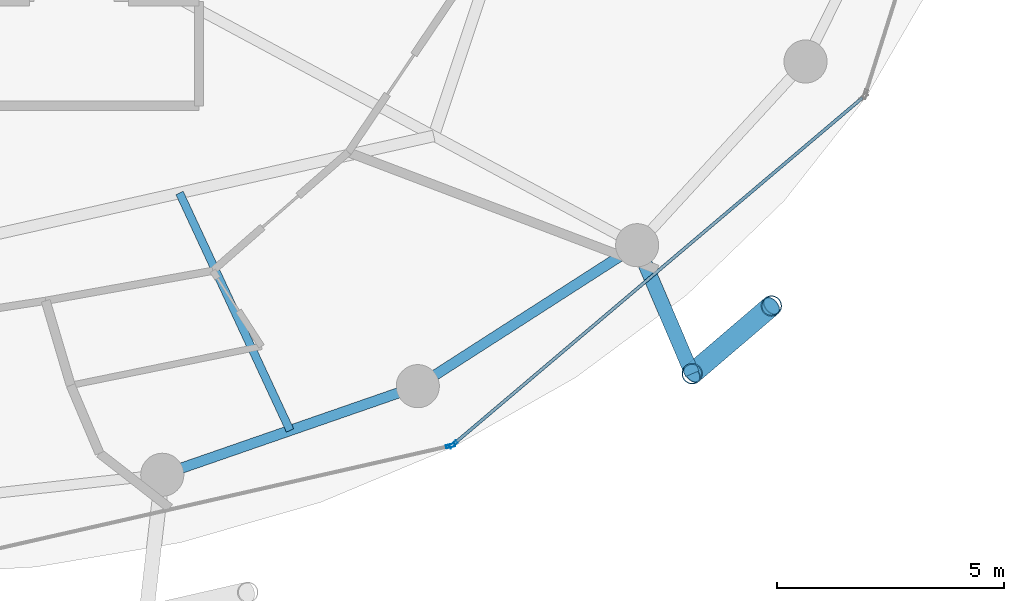
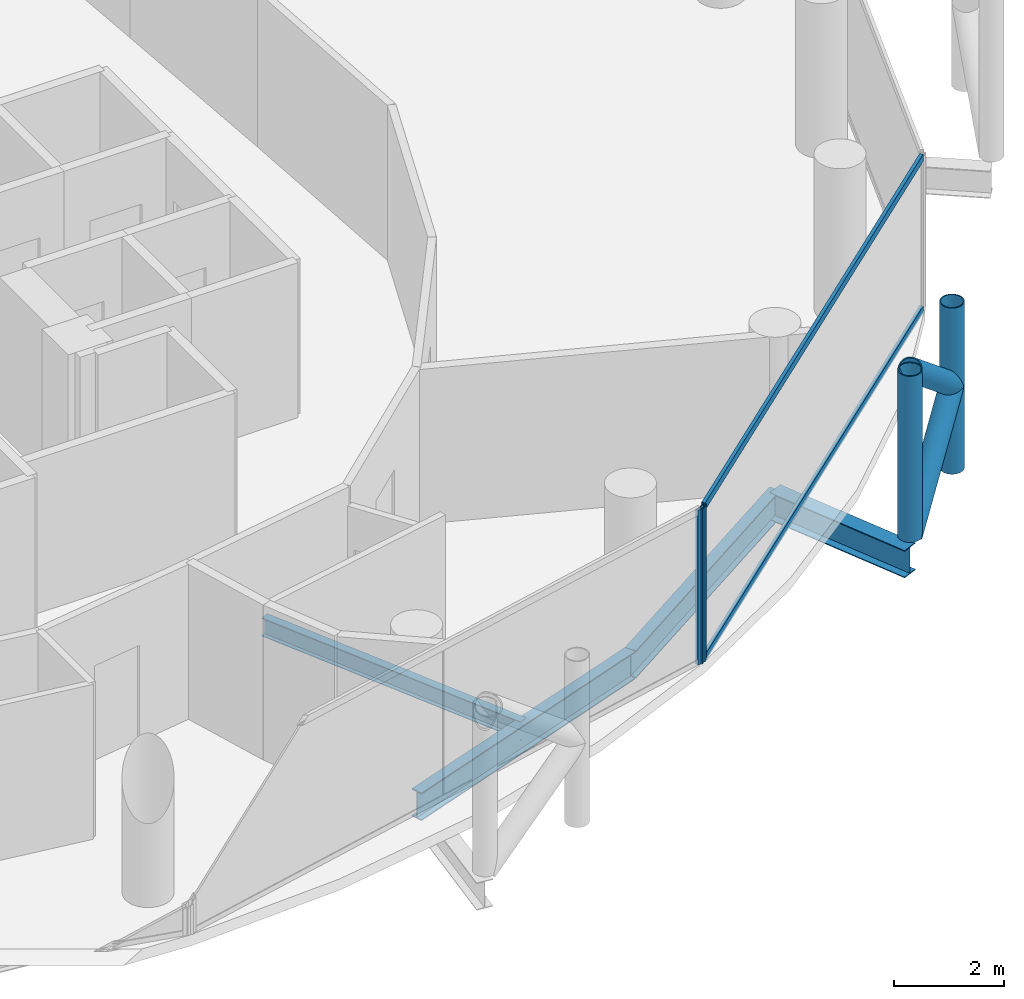
# One storey, part 8 of 26: 8 members, 4 beams, 2 elements without a shape of their own.
"""IFC4 building model written with IfcOpenShell, lengths in metres."""

from ifc_helpers import new_model, si_unit, direction, frame, origin, origin_2d, place, context, subcontext, project, spatial, hollow_rectangle, hollow_circle, i_section, extrude, material, layer, layer_set, material_profile, profile_set, type_object, element, aggregate, save


model = new_model("IFC4")

# Units and contexts
model_context = context("Model", 3, precision=1e-05, world=origin(), true_north=direction((0.0, 1.0)))
body_context = subcontext(model_context, "Body", "Model", "MODEL_VIEW")
ifc_project = project(units=[si_unit("LENGTHUNIT", "METRE"), si_unit("AREAUNIT", "SQUARE_METRE"), si_unit("VOLUMEUNIT", "CUBIC_METRE"), si_unit("PLANEANGLEUNIT", "RADIAN"), si_unit("MASSUNIT", "GRAM", prefix="KILO")], contexts=[model_context])

# Site, building, storey
site_placement = place(None, origin())
site = spatial("IfcSite", under=ifc_project, at=site_placement, CompositionType="ELEMENT")
building_placement = place(site_placement, origin())
building = spatial("IfcBuilding", under=site, at=building_placement, Name="Nuhasar Tower", CompositionType="ELEMENT")
storey_placement = place(building_placement, frame((0.0, 0.0, 147.85009765625)))
storey = spatial("IfcBuildingStorey", under=building, at=storey_placement, Name="L35", CompositionType="ELEMENT", Elevation=147.85009765625)

# Beams
ifc_material_1 = material(Name="Steel S355", Category="steel")
ifc_material_profile_1 = material_profile(ifc_material_1, i_section(OverallWidth=0.177978515625, OverallDepth=0.406005859375, WebThickness=0.0078125, FlangeThickness=0.0126953125, at=origin_2d()), Name="W16X40")
ifc_profile_set_1 = profile_set([ifc_material_profile_1], Name="Steel S355")
beam_type_1 = type_object("IfcBeamType", Name="BM-JST-W16X40", PredefinedType="JOIST", material=ifc_profile_set_1)
beam_1_placement = place(storey_placement, frame((45.424072265625, 14.1279296875, -0.453125), z_axis=(0.421729941201, -0.906721487941, 0.0), x_axis=(0.906721487941, 0.421729941201, 0.0)))
element("IfcBeam", 1, at=beam_1_placement, inside=storey, type_object=beam_type_1, Name="L35 Secondary Floor Joist 02", PredefinedType="JOIST", context=body_context, shape_type="SweptSolid", body=[
    extrude(i_section(OverallWidth=0.177978515625, OverallDepth=0.406005859375, WebThickness=0.0078125, FlangeThickness=0.0126953125, at=origin_2d()), origin(), (0.0, 0.0, 1.0), 5.7734375),
])
ifc_material_profile_2 = material_profile(ifc_material_1, i_section(OverallWidth=0.22998046875, OverallDepth=0.616943359375, WebThickness=0.01318359375, FlangeThickness=0.022216796875, at=origin_2d()), Name="W24X94")
ifc_profile_set_2 = profile_set([ifc_material_profile_2], Name="Steel S355")
beam_type_2 = type_object("IfcBeamType", Name="BM-RING-W24X94", PredefinedType="SPANDREL", material=ifc_profile_set_2)
beam_2_placement = place(storey_placement, frame((45.04296875, 7.916015625, -0.55908203125), z_axis=(0.944814057608, 0.327607076458, 0.0), x_axis=(-0.327607076458, 0.944814057608, 0.0)))
element("IfcBeam", 2, at=beam_2_placement, inside=storey, type_object=beam_type_2, Name="L35 Perimeter Ring Spandrel 20", PredefinedType="SPANDREL", context=body_context, shape_type="SweptSolid", body=[
    extrude(i_section(OverallWidth=0.22998046875, OverallDepth=0.616943359375, WebThickness=0.01318359375, FlangeThickness=0.022216796875, at=origin_2d()), origin(), (0.0, 0.0, 1.0), 5.9609375),
])
beam_3_placement = place(storey_placement, frame((50.675048828125, 9.868896484375, -0.55908203125), z_axis=(0.841308170616, 0.540555789955, 0.0), x_axis=(-0.540555789955, 0.841308170616, 0.0)))
element("IfcBeam", 3, at=beam_3_placement, inside=storey, type_object=beam_type_2, Name="L35 Perimeter Ring Spandrel 21", PredefinedType="SPANDREL", context=body_context, shape_type="SweptSolid", body=[
    extrude(i_section(OverallWidth=0.22998046875, OverallDepth=0.616943359375, WebThickness=0.01318359375, FlangeThickness=0.022216796875, at=origin_2d()), origin(), (0.0, 0.0, 1.0), 5.748046875),
])
ifc_material_profile_3 = material_profile(ifc_material_1, i_section(OverallWidth=0.323974609375, OverallDepth=0.611083984375, WebThickness=0.0126953125, FlangeThickness=0.01904296875, at=origin_2d()), Name="W24X104")
ifc_profile_set_3 = profile_set([ifc_material_profile_3], Name="Steel S355")
beam_type_3 = type_object("IfcBeamType", Name="BM-TIE-W24X104", PredefinedType="BEAM", material=ifc_profile_set_3)
beam_4_placement = place(storey_placement, frame((55.510986328125, 12.97607421875, -0.55615234375), z_axis=(0.39330721304, -0.919407111225, 0.0), x_axis=(0.919407111225, 0.39330721304, 0.0)))
element("IfcBeam", 4, at=beam_4_placement, inside=storey, type_object=beam_type_3, Name="L35 Exoskeleton Node Tie Beam 11", PredefinedType="BEAM", context=body_context, shape_type="SweptSolid", body=[
    extrude(i_section(OverallWidth=0.323974609375, OverallDepth=0.611083984375, WebThickness=0.0126953125, FlangeThickness=0.01904296875, at=origin_2d()), origin(), (0.0, 0.0, 1.0), 3.081298828125),
])

# Curtain wall, member
ifc_material_2 = material(Name="Aluminium 6063-T6", Category="aluminium")
ifc_layer = layer(ifc_material_2, 0.199951171875)
ifc_layer_set = layer_set([ifc_layer], Name="Aluminium 6063-T6")
curtain_wall_type = type_object("IfcCurtainWallType", Name="CW-Z2-HTL", PredefinedType="NOTDEFINED", material=ifc_layer_set)
curtain_wall_1_placement = place(storey_placement, origin())
curtain_wall_1 = element("IfcCurtainWall", 5, at=curtain_wall_1_placement, inside=storey, type_object=curtain_wall_type, Name="L35 Unitised Curtain Wall 10", PredefinedType="NOTDEFINED")
ifc_material_profile_4 = material_profile(ifc_material_2, hollow_rectangle(XDim=0.070068359375, YDim=0.199951171875, WallThickness=0.0048828125, at=origin_2d()), Name="CWM-3")
ifc_profile_set_4 = profile_set([ifc_material_profile_4], Name="Aluminium 6063-T6")
member_type_1 = type_object("IfcMemberType", Name="CW-MUL-S3", PredefinedType="MULLION", material=ifc_profile_set_4)
member_1_placement = place(storey_placement, frame((51.395751953125, 8.55419921875, 0.0), z_axis=(0.0, 0.0, 1.0), x_axis=(-0.22139729566, 0.975183694221, 0.0)))
member_1 = element("IfcMember", 6, at=member_1_placement, type_object=member_type_1, Name="CW-Z2 mullion 2", PredefinedType="MULLION", context=body_context, shape_type="SweptSolid", body=[
    extrude(hollow_rectangle(XDim=0.070068359375, YDim=0.199951171875, WallThickness=0.0048828125, at=origin_2d()), origin(), (0.0, 0.0, 1.0), 3.449951171875),
])
aggregate(curtain_wall_1, [member_1])

# Curtain wall, members
curtain_wall_2_placement = place(storey_placement, origin())
curtain_wall_2 = element("IfcCurtainWall", 7, at=curtain_wall_2_placement, inside=storey, type_object=curtain_wall_type, Name="L35 Unitised Curtain Wall 11", PredefinedType="NOTDEFINED")
member_2_placement = place(storey_placement, frame((51.456787109375, 8.584716796875, 0.0), z_axis=(0.0, 0.0, 1.0), x_axis=(-0.646374438324, 0.763020370292, 0.0)))
member_2 = element("IfcMember", 8, at=member_2_placement, type_object=member_type_1, Name="CW-Z2 mullion 1", PredefinedType="MULLION", context=body_context, shape_type="SweptSolid", body=[
    extrude(hollow_rectangle(XDim=0.070068359375, YDim=0.199951171875, WallThickness=0.0048828125, at=origin_2d()), origin(), (0.0, 0.0, 1.0), 3.449951171875),
])
ifc_material_profile_5 = material_profile(ifc_material_2, hollow_rectangle(XDim=0.070068359375, YDim=0.159912109375, WallThickness=0.00439453125, at=origin_2d()), Name="CWT-3")
ifc_profile_set_5 = profile_set([ifc_material_profile_5], Name="Aluminium 6063-T6")
member_type_2 = type_object("IfcMemberType", Name="CW-TRN-S3", PredefinedType="USERDEFINED", material=ifc_profile_set_5)
member_3_placement = place(storey_placement, frame((51.4833984375, 8.607177734375, 0.034912109375), z_axis=(0.763013698099, 0.646382314511, 0.0), x_axis=(-0.646382314511, 0.763013698099, 0.0)))
member_3 = element("IfcMember", 9, at=member_3_placement, type_object=member_type_2, Name="CW-Z2 transom 1.1", ObjectType="TRANSOM", PredefinedType="USERDEFINED", context=body_context, shape_type="SweptSolid", body=[
    extrude(hollow_rectangle(XDim=0.070068359375, YDim=0.159912109375, WallThickness=0.00439453125, at=origin_2d()), origin(), (0.0, 0.0, 1.0), 11.78515625),
])
member_4_placement = place(storey_placement, frame((51.4833984375, 8.607177734375, 3.414794921875), z_axis=(0.763013698099, 0.646382314511, 0.0), x_axis=(-0.646382314511, 0.763013698099, 0.0)))
member_4 = element("IfcMember", 10, at=member_4_placement, type_object=member_type_2, Name="CW-Z2 transom 1.2", ObjectType="TRANSOM", PredefinedType="USERDEFINED", context=body_context, shape_type="SweptSolid", body=[
    extrude(hollow_rectangle(XDim=0.070068359375, YDim=0.159912109375, WallThickness=0.00439453125, at=origin_2d()), origin(), (0.0, 0.0, 1.0), 11.78515625),
])
aggregate(curtain_wall_2, [member_2, member_3, member_4])

# Members
ifc_material_3 = material(Name="Steel S460", Category="steel")
ifc_material_profile_6 = material_profile(ifc_material_3, hollow_circle(Radius=0.228515625, WallThickness=0.022216796875, at=origin_2d()), Name="HSS457X22.2")
ifc_profile_set_6 = profile_set([ifc_material_profile_6], Name="Steel S460")
member_type_3 = type_object("IfcMemberType", Name="EXO-BRONZE-457", PredefinedType="BRACE", material=ifc_profile_set_6)
for number, where, z_axis, x_axis, name in (
    (11, (56.722900390625, 10.14306640625, 0.0), (0.0, 0.0, 1.0), (1.0, 0.0, 0.0), "L35 Exoskeleton Chord Column EC-11A"),
    (12, (58.470947265625, 11.637939453125, 0.0), (0.0, 0.0, 1.0), (1.0, 0.0, 0.0), "L35 Exoskeleton Chord Column EC-11B"),
):
    element("IfcMember", number, at=place(storey_placement, frame(where, z_axis=z_axis, x_axis=x_axis)), inside=storey, type_object=member_type_3, Name=name, PredefinedType="BRACE", context=body_context, shape_type="SweptSolid", body=[
        extrude(hollow_circle(Radius=0.228515625, WallThickness=0.022216796875, at=origin_2d()), origin(), (0.0, 0.0, 1.0), 3.699951171875),
    ])
member_5_placement = place(storey_placement, frame((56.722900390625, 10.14306640625, 0.0), z_axis=(0.592225874743, 0.506452378638, 0.626717242029), x_axis=(-0.649925557156, 0.7599978751, 0.0)))
element("IfcMember", 13, at=member_5_placement, inside=storey, type_object=member_type_3, Name="L35 Bronze Diagrid Brace W1-11", PredefinedType="BRACE", context=body_context, shape_type="SweptSolid", body=[
    extrude(hollow_circle(Radius=0.228515625, WallThickness=0.022216796875, at=origin_2d()), origin(), (0.0, 0.0, 1.0), 2.95166015625),
])
member_6_placement = place(storey_placement, frame((58.470947265625, 11.637939453125, 1.849853515625), z_axis=(-0.592195175458, -0.506426125604, 0.626767463634), x_axis=(0.649925557156, -0.7599978751, 0.0)))
element("IfcMember", 14, at=member_6_placement, inside=storey, type_object=member_type_3, Name="L35 Bronze Diagrid Brace W2-11", PredefinedType="BRACE", context=body_context, shape_type="SweptSolid", body=[
    extrude(hollow_circle(Radius=0.228515625, WallThickness=0.022216796875, at=origin_2d()), origin(), (0.0, 0.0, 1.0), 2.951904296875),
])

save(model, "model.ifc")
